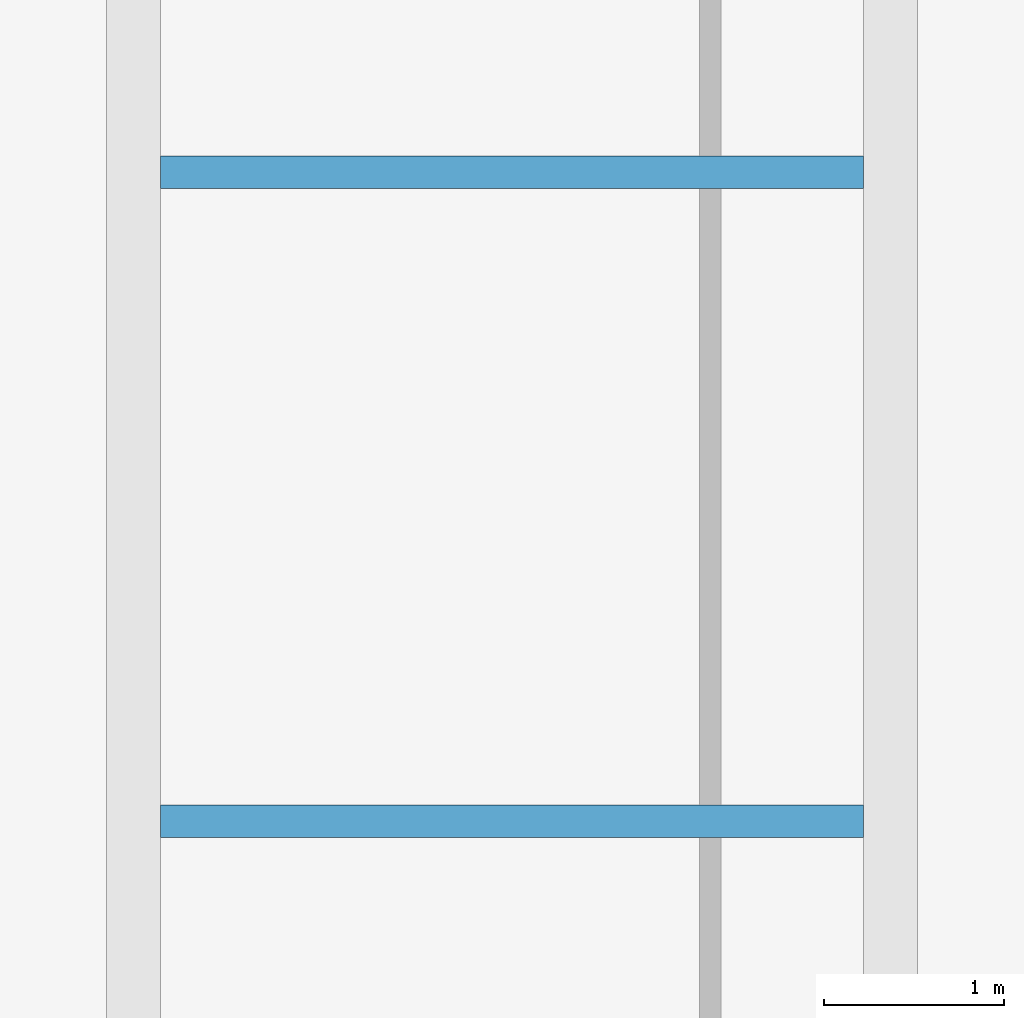
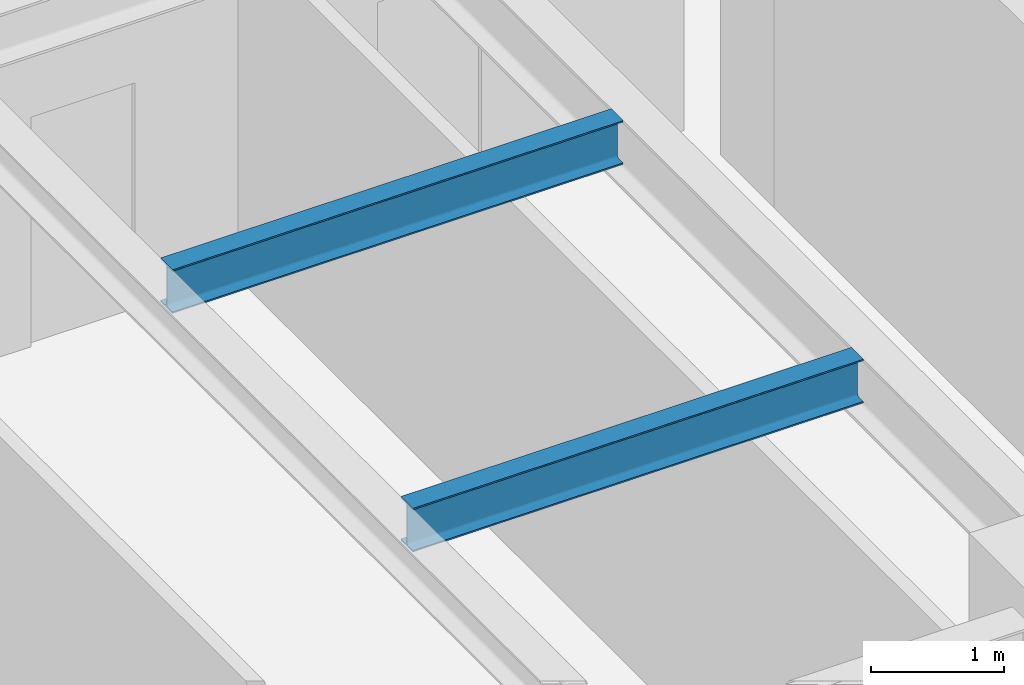
# One storey, part 6 of 24: 2 beams.
"""IFC4 building model written with IfcOpenShell, lengths in metres."""

from ifc_helpers import new_model, si_unit, direction, frame, origin, origin_2d, place, context, subcontext, project, spatial, i_section, extrude, source, transform, mapped, material, material_profile, profile_set, type_object, type_shapes, element, save


model = new_model("IFC4")

# Units and contexts
model_context = context("Model", 3, precision=1e-05, world=origin(), true_north=direction((0.0, 1.0)))
body_context = subcontext(model_context, "Body", "Model", "MODEL_VIEW")
ifc_project = project(units=[si_unit("LENGTHUNIT", "METRE"), si_unit("AREAUNIT", "SQUARE_METRE"), si_unit("VOLUMEUNIT", "CUBIC_METRE"), si_unit("PLANEANGLEUNIT", "RADIAN"), si_unit("MASSUNIT", "GRAM", prefix="KILO")], contexts=[model_context])

# Site, building, storey
site_placement = place(None, origin())
site = spatial("IfcSite", under=ifc_project, at=site_placement, CompositionType="ELEMENT")
building_placement = place(site_placement, origin())
building = spatial("IfcBuilding", under=site, at=building_placement, Name="Krantzveldt Concourse Tower", CompositionType="ELEMENT")
storey_placement = place(building_placement, frame((0.0, 0.0, 231.0)))
storey = spatial("IfcBuildingStorey", under=building, at=storey_placement, Name="L56", CompositionType="ELEMENT", Elevation=231.0)

# Beams
ifc_material = material(Name="Steel S355JR", Category="steel")
ifc_material_profile = material_profile(ifc_material, i_section(OverallWidth=0.179931640625, OverallDepth=0.39990234375, WebThickness=0.008544921875, FlangeThickness=0.013427734375, FilletRadius=0.02099609375, at=origin_2d()), Name="Steel S355JR", Category="steel")
ifc_profile_set = profile_set([ifc_material_profile], Name="Steel S355JR - IPE 400")
beam_type = type_object("IfcBeamType", Name="BM-J-IPE400", PredefinedType="JOIST", material=ifc_profile_set)
shared_shape = source(origin(), body_context, "Body", "SweptSolid", [
    extrude(i_section(OverallWidth=0.179931640625, OverallDepth=0.39990234375, WebThickness=0.008544921875, FlangeThickness=0.013427734375, FilletRadius=0.02099609375, at=origin_2d()), origin(), (0.0, 0.0, 1.0), 3.900146484375),
])
type_shapes(beam_type, [shared_shape])
for number, where, z_axis, x_axis, name in (
    (1, (21.14990234375, 19.5, 3.469970703125), (1.0, 0.0, 0.0), (0.0, 1.0, 0.0), "L56 Secondary Floor Joist JW-1"),
    (2, (21.14990234375, 23.10009765625, 3.469970703125), (1.0, 0.0, 0.0), (0.0, 1.0, 0.0), "L56 Secondary Floor Joist JW-2"),
):
    element("IfcBeam", number, at=place(storey_placement, frame(where, z_axis=z_axis, x_axis=x_axis)), inside=storey, type_object=beam_type, Name=name, PredefinedType="JOIST", context=body_context, shape_type="MappedRepresentation", body=[
        mapped(shared_shape, transform((0.0, 0.0, 0.0), x_axis=(1.0, 0.0, 0.0), y_axis=(0.0, 1.0, 0.0), z_axis=(0.0, 0.0, 1.0), scale=1.0)),
    ])

save(model, "model.ifc")
